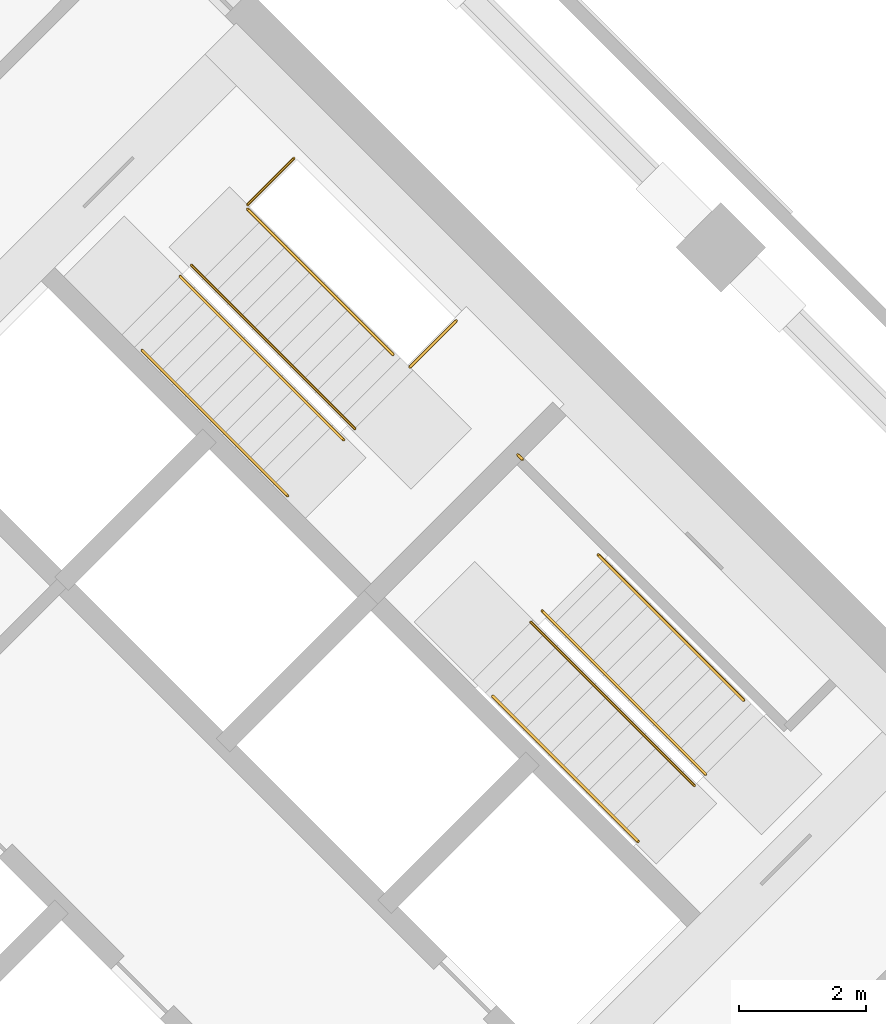
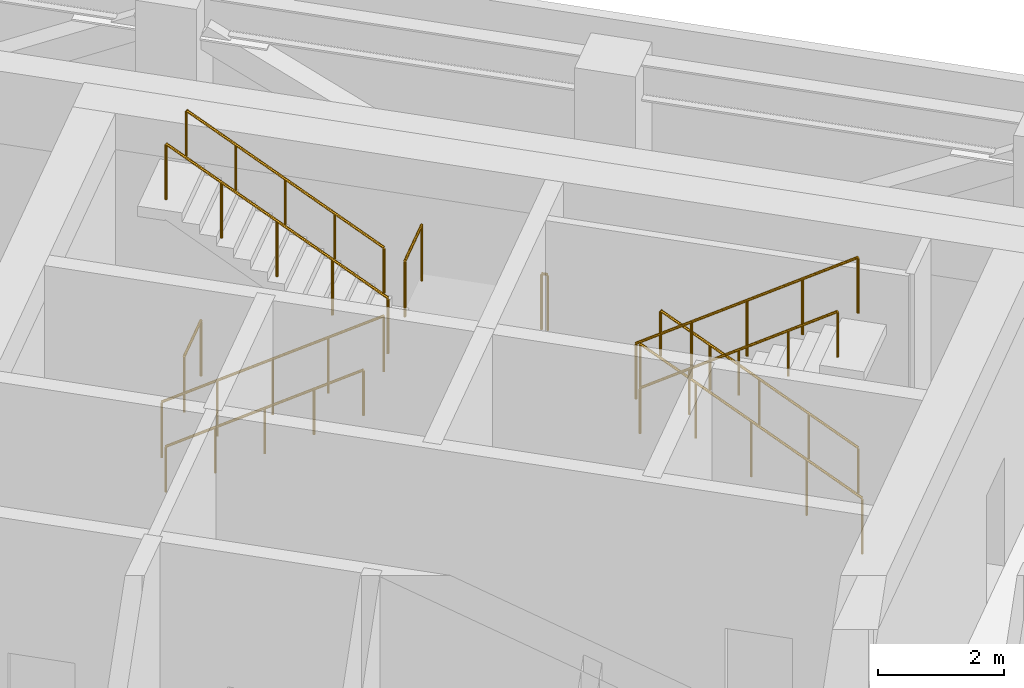
# One storey, part 9 of 9: 11 railings.
"""IFC4 building model written with IfcOpenShell, lengths in metres."""

from ifc_helpers import new_model, si_unit, direction, frame, origin, origin_2d, place, context, subcontext, project, spatial, circle, extrude, material, type_object, element, save


model = new_model("IFC4")

# Units and contexts
model_context = context("Model", 3, precision=1e-05, world=origin(), true_north=direction((0.0, 1.0)))
body_context = subcontext(model_context, "Body", "Model", "MODEL_VIEW")
ifc_project = project(units=[si_unit("LENGTHUNIT", "METRE"), si_unit("AREAUNIT", "SQUARE_METRE"), si_unit("VOLUMEUNIT", "CUBIC_METRE"), si_unit("PLANEANGLEUNIT", "RADIAN"), si_unit("MASSUNIT", "GRAM", prefix="KILO")], contexts=[model_context])

# Site, building, storey
site_placement = place(None, origin())
site = spatial("IfcSite", under=ifc_project, at=site_placement, CompositionType="ELEMENT")
building_placement = place(site_placement, origin())
building = spatial("IfcBuilding", under=site, at=building_placement, Name="Windrow Commons", CompositionType="ELEMENT")
storey_placement = place(building_placement, frame((0.0, 0.0, 126.2)))
storey = spatial("IfcBuildingStorey", under=building, at=storey_placement, Name="L34", CompositionType="ELEMENT", Elevation=126.2)

# Railings
ifc_material_1 = material(Name="Steel S355", Category="steel")
railing_type_1 = type_object("IfcRailingType", Name="Core stair guard 1100", PredefinedType="GUARDRAIL", material=ifc_material_1)
railing_1_placement = place(storey_placement, frame((85.9529, 56.2669, 0.1786)))
element("IfcRailing", 1, at=railing_1_placement, inside=storey, type_object=railing_type_1, Name="L34 ST-B1 stair guard 1", PredefinedType="GUARDRAIL", context=body_context, shape_type="SweptSolid", body=[
    extrude(circle(Radius=0.024, at=origin_2d()), frame((0.0, 0.0, 1.076), z_axis=(0.59617201, -0.5961951731, 0.5377083317), x_axis=(0.7071205174, 0.7070930447, 0.0)), (0.0, 0.0, 1.0), 4.3172),
    extrude(circle(Radius=0.021, at=origin_2d()), origin(), (0.0, 0.0, 1.0), 1.052),
    extrude(circle(Radius=0.021, at=origin_2d()), frame((0.6435, -0.6435, 0.5803)), (0.0, 0.0, 1.0), 1.052),
    extrude(circle(Radius=0.021, at=origin_2d()), frame((1.2869, -1.287, 1.1607)), (0.0, 0.0, 1.0), 1.052),
    extrude(circle(Radius=0.021, at=origin_2d()), frame((1.9304, -1.9304, 1.741)), (0.0, 0.0, 1.0), 1.052),
    extrude(circle(Radius=0.021, at=origin_2d()), frame((2.5738, -2.5739, 2.3214)), (0.0, 0.0, 1.0), 1.052),
])
railing_2_placement = place(storey_placement, frame((88.7035, 53.8698, 2.6786)))
element("IfcRailing", 2, at=railing_2_placement, inside=storey, type_object=railing_type_1, Name="L34 ST-B1 stair guard 2", PredefinedType="GUARDRAIL", context=body_context, shape_type="SweptSolid", body=[
    extrude(circle(Radius=0.024, at=origin_2d()), frame((0.0, 0.0, 1.076), z_axis=(-0.5961869402, 0.5961869402, 0.5377009064), x_axis=(-0.7071067812, -0.7071067812, 0.0)), (0.0, 0.0, 1.0), 4.3173),
    extrude(circle(Radius=0.021, at=origin_2d()), origin(), (0.0, 0.0, 1.0), 1.052),
    extrude(circle(Radius=0.021, at=origin_2d()), frame((-0.6435, 0.6435, 0.5803)), (0.0, 0.0, 1.0), 1.052),
    extrude(circle(Radius=0.021, at=origin_2d()), frame((-1.287, 1.287, 1.1607)), (0.0, 0.0, 1.0), 1.052),
    extrude(circle(Radius=0.021, at=origin_2d()), frame((-1.9304, 1.9304, 1.741)), (0.0, 0.0, 1.0), 1.052),
    extrude(circle(Radius=0.021, at=origin_2d()), frame((-2.5739, 2.5739, 2.3214)), (0.0, 0.0, 1.0), 1.052),
])
railing_3_placement = place(storey_placement, frame((87.0135, 57.3982, 0.0)))
element("IfcRailing", 3, at=railing_3_placement, inside=storey, type_object=railing_type_1, Name="L34 ST-B1 stair guard 3", PredefinedType="GUARDRAIL", context=body_context, shape_type="SweptSolid", body=[
    extrude(circle(Radius=0.024, at=origin_2d()), frame((0.0, 0.0, 1.076), z_axis=(0.7070582378, 0.7071553212, 0.0), x_axis=(-0.7071553212, 0.7070582378, 0.0)), (0.0, 0.0, 1.0), 1.03),
    extrude(circle(Radius=0.021, at=origin_2d()), origin(), (0.0, 0.0, 1.0), 1.052),
    extrude(circle(Radius=0.021, at=origin_2d()), frame((0.7283, 0.7284, 0.0)), (0.0, 0.0, 1.0), 1.052),
])
railing_4_placement = place(storey_placement, frame((89.5732, 54.8385, 2.5)))
element("IfcRailing", 4, at=railing_4_placement, inside=storey, type_object=railing_type_1, Name="L34 ST-B1 stair guard 4", PredefinedType="GUARDRAIL", context=body_context, shape_type="SweptSolid", body=[
    extrude(circle(Radius=0.024, at=origin_2d()), frame((0.0, 0.0, 1.076), z_axis=(0.7071067812, 0.7071067812, 0.0), x_axis=(-0.7071067812, 0.7071067812, 0.0)), (0.0, 0.0, 1.0), 1.0301),
    extrude(circle(Radius=0.021, at=origin_2d()), origin(), (0.0, 0.0, 1.0), 1.052),
    extrude(circle(Radius=0.021, at=origin_2d()), frame((0.7284, 0.7284, 0.0)), (0.0, 0.0, 1.0), 1.052),
])
railing_5_placement = place(storey_placement, frame((94.2296, 48.4215, 0.1786)))
element("IfcRailing", 5, at=railing_5_placement, inside=storey, type_object=railing_type_1, Name="L34 ST-B2 stair guard 1", PredefinedType="GUARDRAIL", context=body_context, shape_type="SweptSolid", body=[
    extrude(circle(Radius=0.024, at=origin_2d()), frame((0.0, 0.0, 1.076), z_axis=(-0.5961869402, 0.5961869402, 0.5377009064), x_axis=(-0.7071067812, -0.7071067812, 0.0)), (0.0, 0.0, 1.0), 4.3173),
    extrude(circle(Radius=0.021, at=origin_2d()), origin(), (0.0, 0.0, 1.0), 1.052),
    extrude(circle(Radius=0.021, at=origin_2d()), frame((-0.6435, 0.6435, 0.5803)), (0.0, 0.0, 1.0), 1.052),
    extrude(circle(Radius=0.021, at=origin_2d()), frame((-1.287, 1.2869, 1.1607)), (0.0, 0.0, 1.0), 1.052),
    extrude(circle(Radius=0.021, at=origin_2d()), frame((-1.9304, 1.9304, 1.741)), (0.0, 0.0, 1.0), 1.052),
    extrude(circle(Radius=0.021, at=origin_2d()), frame((-2.5739, 2.5739, 2.3214)), (0.0, 0.0, 1.0), 1.052),
])
railing_6_placement = place(storey_placement, frame((91.4789, 50.8186, 2.6786)))
element("IfcRailing", 6, at=railing_6_placement, inside=storey, type_object=railing_type_1, Name="L34 ST-B2 stair guard 2", PredefinedType="GUARDRAIL", context=body_context, shape_type="SweptSolid", body=[
    extrude(circle(Radius=0.024, at=origin_2d()), frame((0.0, 0.0, 1.076), z_axis=(0.5961869402, -0.5961869402, 0.5377009064), x_axis=(0.7071067812, 0.7071067812, 0.0)), (0.0, 0.0, 1.0), 4.3173),
    extrude(circle(Radius=0.021, at=origin_2d()), origin(), (0.0, 0.0, 1.0), 1.052),
    extrude(circle(Radius=0.021, at=origin_2d()), frame((0.6435, -0.6435, 0.5803)), (0.0, 0.0, 1.0), 1.052),
    extrude(circle(Radius=0.021, at=origin_2d()), frame((1.287, -1.287, 1.1607)), (0.0, 0.0, 1.0), 1.052),
    extrude(circle(Radius=0.021, at=origin_2d()), frame((1.9304, -1.9304, 1.741)), (0.0, 0.0, 1.0), 1.052),
    extrude(circle(Radius=0.021, at=origin_2d()), frame((2.5739, -2.5739, 2.3214)), (0.0, 0.0, 1.0), 1.052),
])
railing_7_placement = place(storey_placement, frame((91.3446, 53.3854, 2.5)))
element("IfcRailing", 7, at=railing_7_placement, inside=storey, type_object=railing_type_1, Name="L34 ST-B2 stair guard 3", PredefinedType="GUARDRAIL", context=body_context, shape_type="SweptSolid", body=[
    extrude(circle(Radius=0.024, at=origin_2d()), frame((0.0, 0.0, 1.076), z_axis=(-0.7076063266, 0.7066068826, 0.0), x_axis=(-0.7066068826, -0.7076063266, 0.0)), (0.0, 0.0, 1.0), 0.1001),
    extrude(circle(Radius=0.021, at=origin_2d()), origin(), (0.0, 0.0, 1.0), 1.052),
    extrude(circle(Radius=0.021, at=origin_2d()), frame((-0.0708, 0.0707, 0.0)), (0.0, 0.0, 1.0), 1.052),
])
ifc_material_2 = material(Name="Steel S355", Category="steel")
railing_type_2 = type_object("IfcRailingType", Name="Core stair handrail 900", PredefinedType="HANDRAIL", material=ifc_material_2)
railing_8_placement = place(storey_placement, frame((85.3518, 55.1001, 0.4337)))
element("IfcRailing", 8, at=railing_8_placement, inside=storey, type_object=railing_type_2, Name="L34 ST-B1 stair handrail 1", PredefinedType="HANDRAIL", context=body_context, shape_type="SweptSolid", body=[
    extrude(circle(Radius=0.024, at=origin_2d()), frame((0.0, 0.0, 0.876), z_axis=(0.5961997536, -0.5961737312, 0.5377013447), x_axis=(0.7070913491, 0.707122213, 0.0)), (0.0, 0.0, 1.0), 3.8428),
    extrude(circle(Radius=0.021, at=origin_2d()), origin(), (0.0, 0.0, 1.0), 0.852),
    extrude(circle(Radius=0.021, at=origin_2d()), frame((0.5728, -0.5727, 0.5166)), (0.0, 0.0, 1.0), 0.852),
    extrude(circle(Radius=0.021, at=origin_2d()), frame((1.1456, -1.1455, 1.0331)), (0.0, 0.0, 1.0), 0.852),
    extrude(circle(Radius=0.021, at=origin_2d()), frame((1.7183, -1.7182, 1.5497)), (0.0, 0.0, 1.0), 0.852),
    extrude(circle(Radius=0.021, at=origin_2d()), frame((2.2911, -2.291, 2.0663)), (0.0, 0.0, 1.0), 0.852),
])
railing_9_placement = place(storey_placement, frame((89.3046, 55.0365, 2.9337)))
element("IfcRailing", 9, at=railing_9_placement, inside=storey, type_object=railing_type_2, Name="L34 ST-B1 stair handrail 2", PredefinedType="HANDRAIL", context=body_context, shape_type="SweptSolid", body=[
    extrude(circle(Radius=0.024, at=origin_2d()), frame((0.0, 0.0, 0.876), z_axis=(-0.5961997536, 0.5961737312, 0.5377013447), x_axis=(-0.7070913491, -0.707122213, 0.0)), (0.0, 0.0, 1.0), 3.8428),
    extrude(circle(Radius=0.021, at=origin_2d()), origin(), (0.0, 0.0, 1.0), 0.852),
    extrude(circle(Radius=0.021, at=origin_2d()), frame((-0.5728, 0.5728, 0.5166)), (0.0, 0.0, 1.0), 0.852),
    extrude(circle(Radius=0.021, at=origin_2d()), frame((-1.1456, 1.1455, 1.0331)), (0.0, 0.0, 1.0), 0.852),
    extrude(circle(Radius=0.021, at=origin_2d()), frame((-1.7183, 1.7183, 1.5497)), (0.0, 0.0, 1.0), 0.852),
    extrude(circle(Radius=0.021, at=origin_2d()), frame((-2.2911, 2.291, 2.0663)), (0.0, 0.0, 1.0), 0.852),
])
railing_10_placement = place(storey_placement, frame((94.8306, 49.5883, 0.4337)))
element("IfcRailing", 10, at=railing_10_placement, inside=storey, type_object=railing_type_2, Name="L34 ST-B2 stair handrail 1", PredefinedType="HANDRAIL", context=body_context, shape_type="SweptSolid", body=[
    extrude(circle(Radius=0.024, at=origin_2d()), frame((0.0, 0.0, 0.876), z_axis=(-0.5961829806, 0.5961829806, 0.5377096869), x_axis=(-0.7071067812, -0.7071067812, 0.0)), (0.0, 0.0, 1.0), 3.8428),
    extrude(circle(Radius=0.021, at=origin_2d()), origin(), (0.0, 0.0, 1.0), 0.852),
    extrude(circle(Radius=0.021, at=origin_2d()), frame((-0.5728, 0.5728, 0.5166)), (0.0, 0.0, 1.0), 0.852),
    extrude(circle(Radius=0.021, at=origin_2d()), frame((-1.1455, 1.1455, 1.0331)), (0.0, 0.0, 1.0), 0.852),
    extrude(circle(Radius=0.021, at=origin_2d()), frame((-1.7183, 1.7183, 1.5497)), (0.0, 0.0, 1.0), 0.852),
    extrude(circle(Radius=0.021, at=origin_2d()), frame((-2.291, 2.291, 2.0663)), (0.0, 0.0, 1.0), 0.852),
])
railing_11_placement = place(storey_placement, frame((90.8779, 49.6519, 2.9337)))
element("IfcRailing", 11, at=railing_11_placement, inside=storey, type_object=railing_type_2, Name="L34 ST-B2 stair handrail 2", PredefinedType="HANDRAIL", context=body_context, shape_type="SweptSolid", body=[
    extrude(circle(Radius=0.024, at=origin_2d()), frame((0.0, 0.0, 0.876), z_axis=(0.5961829806, -0.5961829806, 0.5377096869), x_axis=(0.7071067812, 0.7071067812, 0.0)), (0.0, 0.0, 1.0), 3.8428),
    extrude(circle(Radius=0.021, at=origin_2d()), origin(), (0.0, 0.0, 1.0), 0.852),
    extrude(circle(Radius=0.021, at=origin_2d()), frame((0.5727, -0.5727, 0.5166)), (0.0, 0.0, 1.0), 0.852),
    extrude(circle(Radius=0.021, at=origin_2d()), frame((1.1455, -1.1455, 1.0331)), (0.0, 0.0, 1.0), 0.852),
    extrude(circle(Radius=0.021, at=origin_2d()), frame((1.7182, -1.7182, 1.5497)), (0.0, 0.0, 1.0), 0.852),
    extrude(circle(Radius=0.021, at=origin_2d()), frame((2.291, -2.291, 2.0663)), (0.0, 0.0, 1.0), 0.852),
])

save(model, "model.ifc")
